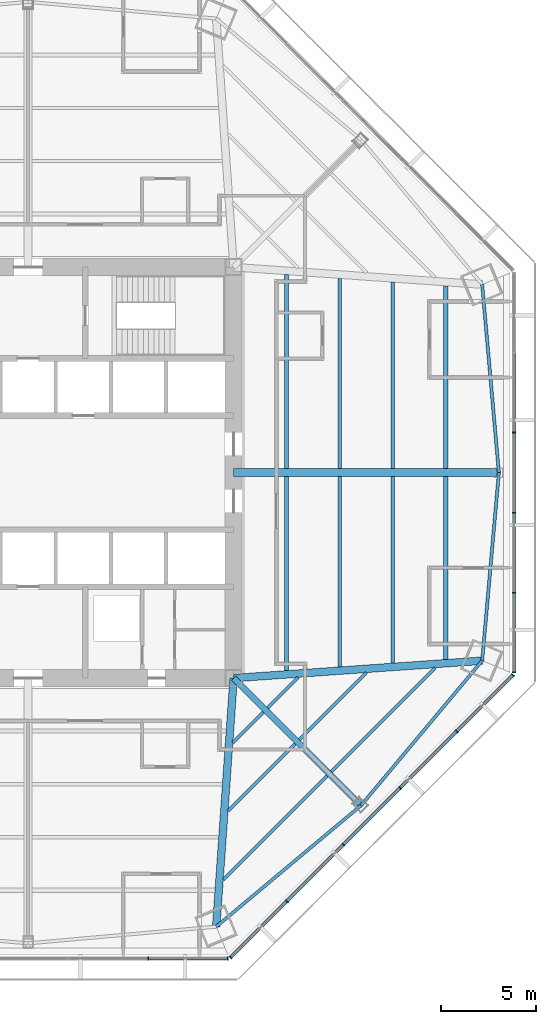
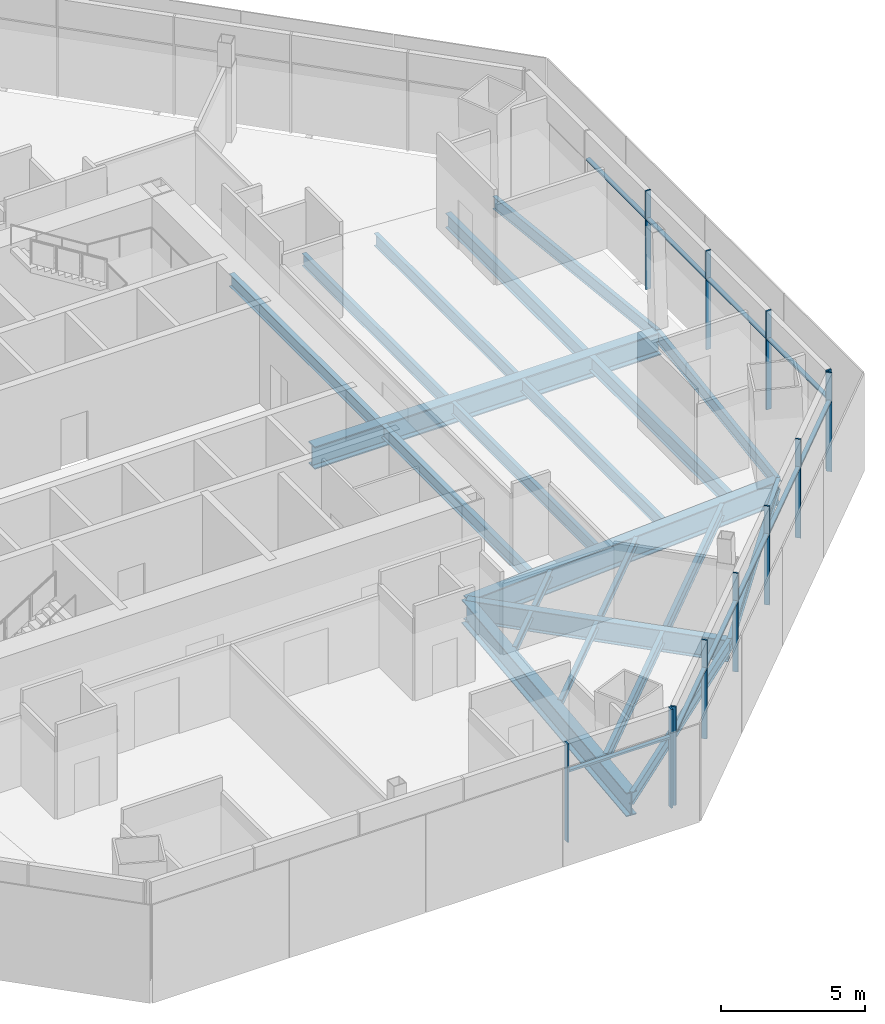
# One storey, part 4 of 17: 22 beams, 22 members, 3 elements without a shape of their own.
"""IFC4 building model written with IfcOpenShell, lengths in metres."""

from ifc_helpers import new_model, si_unit, direction, frame, origin, origin_2d, place, context, subcontext, project, spatial, rectangle, i_section, extrude, source, transform, mapped, material, material_profile, profile_set, type_object, type_shapes, element, aggregate, save


model = new_model("IFC4")

# Units and contexts
model_context = context("Model", 3, precision=1e-05, world=origin(), true_north=direction((0.0, 1.0)))
body_context = subcontext(model_context, "Body", "Model", "MODEL_VIEW")
ifc_project = project(units=[si_unit("LENGTHUNIT", "METRE"), si_unit("AREAUNIT", "SQUARE_METRE"), si_unit("VOLUMEUNIT", "CUBIC_METRE"), si_unit("PLANEANGLEUNIT", "RADIAN"), si_unit("MASSUNIT", "GRAM", prefix="KILO")], contexts=[model_context])

# Site, building, storey
site_placement = place(None, origin())
site = spatial("IfcSite", under=ifc_project, at=site_placement, CompositionType="ELEMENT")
building_placement = place(site_placement, origin())
building = spatial("IfcBuilding", under=site, at=building_placement, Name="Mashrafa Tower", CompositionType="ELEMENT")
storey_placement = place(building_placement, frame((0.0, 0.0, 87.60009765625)))
storey = spatial("IfcBuildingStorey", under=building, at=storey_placement, Name="L19", CompositionType="ELEMENT", Elevation=87.60009765625)

# Beams
ifc_material_1 = material(Name="Steel ASTM A992", Category="steel")
ifc_material_profile_1 = material_profile(ifc_material_1, i_section(OverallWidth=0.164794921875, OverallDepth=0.309814453125, WebThickness=0.005859375, FlangeThickness=0.009765625, FilletRadius=0.007568359375, at=origin_2d()), Name="W12X26")
ifc_profile_set_1 = profile_set([ifc_material_profile_1], Name="Steel ASTM A992")
beam_type_1 = type_object("IfcBeamType", Name="Beam W12X26", PredefinedType="BEAM", material=ifc_profile_set_1)
beam_1_placement = place(storey_placement, frame((12.365966796875, -12.58154296875, -0.320068359375), z_axis=(-0.707160662147, -0.707052896121, 0.0), x_axis=(0.707052896121, -0.707160662147, 0.0)))
element("IfcBeam", 1, at=beam_1_placement, inside=storey, type_object=beam_type_1, Name="Floor beam L19 040", PredefinedType="BEAM", context=body_context, shape_type="SweptSolid", body=[
    extrude(i_section(OverallWidth=0.164794921875, OverallDepth=0.309814453125, WebThickness=0.005859375, FlangeThickness=0.009765625, FilletRadius=0.007568359375, at=origin_2d()), origin(), (0.0, 0.0, 1.0), 2.265380859375),
])
beam_2_placement = place(storey_placement, frame((14.03955078125, -14.255126953125, -0.320068359375), z_axis=(-0.707106781187, -0.707106781187, 0.0), x_axis=(0.707106781187, -0.707106781187, 0.0)))
element("IfcBeam", 2, at=beam_2_placement, inside=storey, type_object=beam_type_1, Name="Floor beam L19 044", PredefinedType="BEAM", context=body_context, shape_type="SweptSolid", body=[
    extrude(i_section(OverallWidth=0.164794921875, OverallDepth=0.309814453125, WebThickness=0.005859375, FlangeThickness=0.009765625, FilletRadius=0.007568359375, at=origin_2d()), origin(), (0.0, 0.0, 1.0), 4.989013671875),
])
beam_3_placement = place(storey_placement, frame((14.183349609375, -10.763916015625, -0.320068359375), z_axis=(-0.707052896121, -0.707160662147, 0.0), x_axis=(0.707160662147, -0.707052896121, 0.0)))
element("IfcBeam", 3, at=beam_3_placement, inside=storey, type_object=beam_type_1, Name="Floor beam L19 046", PredefinedType="BEAM", context=body_context, shape_type="SweptSolid", body=[
    extrude(i_section(OverallWidth=0.164794921875, OverallDepth=0.309814453125, WebThickness=0.005859375, FlangeThickness=0.009765625, FilletRadius=0.007568359375, at=origin_2d()), origin(), (0.0, 0.0, 1.0), 2.265380859375),
])
beam_4_placement = place(storey_placement, frame((17.782958984375, -10.51171875, -0.320068359375), z_axis=(-0.707106781187, -0.707106781187, 0.0), x_axis=(0.707106781187, -0.707106781187, 0.0)))
element("IfcBeam", 4, at=beam_4_placement, inside=storey, type_object=beam_type_1, Name="Floor beam L19 051", PredefinedType="BEAM", context=body_context, shape_type="SweptSolid", body=[
    extrude(i_section(OverallWidth=0.164794921875, OverallDepth=0.309814453125, WebThickness=0.005859375, FlangeThickness=0.009765625, FilletRadius=0.007568359375, at=origin_2d()), origin(), (0.0, 0.0, 1.0), 4.989013671875),
])
ifc_material_2 = material(Name="Steel ASTM A992", Category="steel")
ifc_material_profile_2 = material_profile(ifc_material_2, i_section(OverallWidth=0.165771484375, OverallDepth=0.5283203125, WebThickness=0.009765625, FlangeThickness=0.013671875, FilletRadius=0.012939453125, at=origin_2d()), Name="W21X50")
ifc_profile_set_2 = profile_set([ifc_material_profile_2], Name="Steel ASTM A992")
beam_type_2 = type_object("IfcBeamType", Name="Beam W21X50", PredefinedType="BEAM", material=ifc_profile_set_2)
beam_5_placement = place(storey_placement, frame((15.713134765625, -15.9287109375, -0.42919921875), z_axis=(-0.707075127012, -0.707138433944, 0.0), x_axis=(0.707138433944, -0.707075127012, 0.0)))
element("IfcBeam", 5, at=beam_5_placement, inside=storey, type_object=beam_type_2, Name="Floor beam L19 047", PredefinedType="BEAM", context=body_context, shape_type="SweptSolid", body=[
    extrude(i_section(OverallWidth=0.165771484375, OverallDepth=0.5283203125, WebThickness=0.009765625, FlangeThickness=0.013671875, FilletRadius=0.012939453125, at=origin_2d()), origin(), (0.0, 0.0, 1.0), 7.712890625),
])
for number, where, z_axis, x_axis, name in (
    (6, (16.37646484375, -0.212158203125, -0.42919921875), (0.0, -1.0, 0.0), (1.0, 0.0, 0.0), "Floor beam L19 049"),
    (7, (16.37646484375, 10.2080078125, -0.42919921875), (0.0, -1.0, 0.0), (1.0, 0.0, 0.0), "Floor beam L19 050"),
):
    element("IfcBeam", number, at=place(storey_placement, frame(where, z_axis=z_axis, x_axis=x_axis)), inside=storey, type_object=beam_type_2, Name=name, PredefinedType="BEAM", context=body_context, shape_type="SweptSolid", body=[
        extrude(i_section(OverallWidth=0.165771484375, OverallDepth=0.5283203125, WebThickness=0.009765625, FlangeThickness=0.013671875, FilletRadius=0.012939453125, at=origin_2d()), origin(), (0.0, 0.0, 1.0), 9.995849609375),
    ])
for number, where, z_axis, x_axis, name in (
    (8, (19.164794921875, -0.212158203125, -0.42919921875), (0.0, -1.0, 0.0), (1.0, 0.0, 0.0), "Floor beam L19 052"),
    (9, (19.164794921875, 10.012451171875, -0.42919921875), (0.0, -1.0, 0.0), (1.0, 0.0, 0.0), "Floor beam L19 053"),
):
    element("IfcBeam", number, at=place(storey_placement, frame(where, z_axis=z_axis, x_axis=x_axis)), inside=storey, type_object=beam_type_2, Name=name, PredefinedType="BEAM", context=body_context, shape_type="SweptSolid", body=[
        extrude(i_section(OverallWidth=0.165771484375, OverallDepth=0.5283203125, WebThickness=0.009765625, FlangeThickness=0.013671875, FilletRadius=0.012939453125, at=origin_2d()), origin(), (0.0, 0.0, 1.0), 9.80029296875),
    ])
beam_6_placement = place(storey_placement, frame((21.3828125, -10.259521484375, -0.42919921875), z_axis=(-0.707138433944, -0.707075127012, 0.0), x_axis=(0.707075127012, -0.707138433944, 0.0)))
element("IfcBeam", 10, at=beam_6_placement, inside=storey, type_object=beam_type_2, Name="Floor beam L19 054", PredefinedType="BEAM", context=body_context, shape_type="SweptSolid", body=[
    extrude(i_section(OverallWidth=0.165771484375, OverallDepth=0.5283203125, WebThickness=0.009765625, FlangeThickness=0.013671875, FilletRadius=0.012939453125, at=origin_2d()), origin(), (0.0, 0.0, 1.0), 7.712890625),
])
for number, where, z_axis, x_axis, name in (
    (11, (9.884521484375, -23.863037109375, -0.42919921875), (0.766898747928, 0.641768112659, 0.0), (-0.641768112659, 0.766898747928, 0.0), "Spandrel beam L19 082"),
    (12, (17.49462890625, -17.49462890625, -0.42919921875), (0.641768112659, 0.766898747928, 0.0), (-0.766898747928, 0.641768112659, 0.0), "Spandrel beam L19 084"),
    (13, (23.863037109375, -9.884521484375, -0.42919921875), (0.088494768196, 0.996076641631, 0.0), (-0.996076641631, 0.088494768196, 0.0), "Spandrel beam L19 086"),
    (14, (24.7412109375, 0.0, -0.42919921875), (-0.088494768196, 0.996076641631, 0.0), (-0.996076641631, -0.088494768196, 0.0), "Spandrel beam L19 088"),
):
    element("IfcBeam", number, at=place(storey_placement, frame(where, z_axis=z_axis, x_axis=x_axis)), inside=storey, type_object=beam_type_2, Name=name, PredefinedType="BEAM", context=body_context, shape_type="SweptSolid", body=[
        extrude(i_section(OverallWidth=0.165771484375, OverallDepth=0.5283203125, WebThickness=0.009765625, FlangeThickness=0.013671875, FilletRadius=0.012939453125, at=origin_2d()), origin(), (0.0, 0.0, 1.0), 9.92333984375),
    ])
ifc_material_3 = material(Name="Steel ASTM A992", Category="steel")
ifc_material_profile_3 = material_profile(ifc_material_3, i_section(OverallWidth=0.209228515625, OverallDepth=0.533447265625, WebThickness=0.01025390625, FlangeThickness=0.015625, FilletRadius=0.012939453125, at=origin_2d()), Name="W21X62")
ifc_profile_set_3 = profile_set([ifc_material_profile_3], Name="Steel ASTM A992")
beam_type_3 = type_object("IfcBeamType", Name="Beam W21X62", PredefinedType="BEAM", material=ifc_profile_set_3)
for number, where, z_axis, x_axis, name in (
    (15, (13.58837890625, -0.212158203125, -0.431884765625), (0.0, -1.0, 0.0), (1.0, 0.0, 0.0), "Floor beam L19 042"),
    (16, (13.58837890625, 10.4033203125, -0.431884765625), (0.0, -1.0, 0.0), (1.0, 0.0, 0.0), "Floor beam L19 043"),
):
    element("IfcBeam", number, at=place(storey_placement, frame(where, z_axis=z_axis, x_axis=x_axis)), inside=storey, type_object=beam_type_3, Name=name, PredefinedType="BEAM", context=body_context, shape_type="SweptSolid", body=[
        extrude(i_section(OverallWidth=0.209228515625, OverallDepth=0.533447265625, WebThickness=0.01025390625, FlangeThickness=0.015625, FilletRadius=0.012939453125, at=origin_2d()), origin(), (0.0, 0.0, 1.0), 10.191162109375),
    ])
ifc_material_4 = material(Name="Steel ASTM A992", Category="steel")
ifc_material_profile_4 = material_profile(ifc_material_4, i_section(OverallWidth=0.227783203125, OverallDepth=0.60205078125, WebThickness=0.010498046875, FlangeThickness=0.014892578125, FilletRadius=0.012939453125, at=origin_2d()), Name="W24X68")
ifc_profile_set_4 = profile_set([ifc_material_profile_4], Name="Steel ASTM A992")
beam_type_4 = type_object("IfcBeamType", Name="Beam W24X68", PredefinedType="BEAM", material=ifc_profile_set_4)
for number, where, z_axis, x_axis, name in (
    (17, (21.952880859375, -0.212158203125, -0.466064453125), (0.0, -1.0, 0.0), (1.0, 0.0, 0.0), "Floor beam L19 055"),
    (18, (21.952880859375, 9.817138671875, -0.466064453125), (0.0, -1.0, 0.0), (1.0, 0.0, 0.0), "Floor beam L19 056"),
):
    element("IfcBeam", number, at=place(storey_placement, frame(where, z_axis=z_axis, x_axis=x_axis)), inside=storey, type_object=beam_type_4, Name=name, PredefinedType="BEAM", context=body_context, shape_type="SweptSolid", body=[
        extrude(i_section(OverallWidth=0.227783203125, OverallDepth=0.60205078125, WebThickness=0.010498046875, FlangeThickness=0.014892578125, FilletRadius=0.012939453125, at=origin_2d()), origin(), (0.0, 0.0, 1.0), 9.60498046875),
    ])
ifc_material_5 = material(Name="Steel ASTM A992", Category="steel")
ifc_material_profile_5 = material_profile(ifc_material_5, i_section(OverallWidth=0.3046875, OverallDepth=0.911865234375, WebThickness=0.015869140625, FlangeThickness=0.02392578125, FilletRadius=0.01904296875, at=origin_2d()), Name="W36X150")
ifc_profile_set_5 = profile_set([ifc_material_profile_5], Name="Steel ASTM A992")
beam_type_5 = type_object("IfcBeamType", Name="Beam W36X150", PredefinedType="BEAM", material=ifc_profile_set_5)
beam_7_placement = place(storey_placement, frame((10.800048828125, -10.800048828125, -0.62109375), z_axis=(0.707106781187, -0.707106781187, 0.0), x_axis=(0.707106781187, 0.707106781187, 0.0)))
element("IfcBeam", 19, at=beam_7_placement, inside=storey, type_object=beam_type_5, Name="Radial girder L19 067", PredefinedType="BEAM", context=body_context, shape_type="SweptSolid", body=[
    extrude(i_section(OverallWidth=0.3046875, OverallDepth=0.911865234375, WebThickness=0.015869140625, FlangeThickness=0.02392578125, FilletRadius=0.01904296875, at=origin_2d()), origin(), (0.0, 0.0, 1.0), 9.467529296875),
])
ifc_material_6 = material(Name="Steel ASTM A992", Category="steel")
ifc_material_profile_6 = material_profile(ifc_material_6, i_section(OverallWidth=0.424072265625, OverallDepth=0.960205078125, WebThickness=0.028564453125, FlangeThickness=0.051025390625, FilletRadius=0.02001953125, at=origin_2d()), Name="W36X361")
ifc_profile_set_6 = profile_set([ifc_material_profile_6], Name="Steel ASTM A992")
beam_type_6 = type_object("IfcBeamType", Name="Beam W36X361", PredefinedType="BEAM", material=ifc_profile_set_6)
beam_8_placement = place(storey_placement, frame((10.800048828125, 0.0, -0.645263671875), z_axis=(1.0, 0.0, 0.0), x_axis=(0.0, 1.0, 0.0)))
element("IfcBeam", 20, at=beam_8_placement, inside=storey, type_object=beam_type_6, Name="Radial girder L19 069", PredefinedType="BEAM", context=body_context, shape_type="SweptSolid", body=[
    extrude(i_section(OverallWidth=0.424072265625, OverallDepth=0.960205078125, WebThickness=0.028564453125, FlangeThickness=0.051025390625, FilletRadius=0.02001953125, at=origin_2d()), origin(), (0.0, 0.0, 1.0), 13.941162109375),
])
ifc_material_7 = material(Name="Steel ASTM A992", Category="steel")
ifc_material_profile_7 = material_profile(ifc_material_7, i_section(OverallWidth=0.4013671875, OverallDepth=1.010986328125, WebThickness=0.023681640625, FlangeThickness=0.0419921875, FilletRadius=0.02001953125, at=origin_2d()), Name="W40X297")
ifc_profile_set_7 = profile_set([ifc_material_profile_7], Name="Steel ASTM A992")
beam_type_7 = type_object("IfcBeamType", Name="Beam W40X297", PredefinedType="BEAM", material=ifc_profile_set_7)
for number, where, z_axis, x_axis, name in (
    (21, (10.800048828125, -10.800048828125, -0.670654296875), (-0.069914099504, -0.997553015479, 0.0), (0.997553015479, -0.069914099504, 0.0), "Radial girder L19 066"),
    (22, (10.800048828125, -10.800048828125, -0.670654296875), (0.997553015479, 0.069914099504, 0.0), (-0.069914099504, 0.997553015479, 0.0), "Radial girder L19 068"),
):
    element("IfcBeam", number, at=place(storey_placement, frame(where, z_axis=z_axis, x_axis=x_axis)), inside=storey, type_object=beam_type_7, Name=name, PredefinedType="BEAM", context=body_context, shape_type="SweptSolid", body=[
        extrude(i_section(OverallWidth=0.4013671875, OverallDepth=1.010986328125, WebThickness=0.023681640625, FlangeThickness=0.0419921875, FilletRadius=0.02001953125, at=origin_2d()), origin(), (0.0, 0.0, 1.0), 13.094970703125),
    ])

# Curtain wall, members
ifc_material_8 = material(Name="Unitised aluminium curtain wall", Category="aluminium")
curtain_wall_type = type_object("IfcCurtainWallType", Name="Office curtain wall, zone 1 CW-A 200 deep", PredefinedType="NOTDEFINED", material=ifc_material_8)
curtain_wall_1_placement = place(storey_placement, origin())
curtain_wall_1 = element("IfcCurtainWall", 23, at=curtain_wall_1_placement, inside=storey, type_object=curtain_wall_type, Name="Office curtain wall, zone 1 L19 east", PredefinedType="NOTDEFINED")
ifc_material_9 = material(Name="Extruded aluminium mullion", Category="aluminium")
ifc_material_profile_8 = material_profile(ifc_material_9, rectangle(XDim=0.199951171875, YDim=0.06494140625, at=origin_2d()), Name="Mullion 65x200")
ifc_profile_set_8 = profile_set([ifc_material_profile_8], Name="Extruded aluminium mullion")
member_type_1 = type_object("IfcMemberType", Name="Mullion CW-A 65 x 200", PredefinedType="MULLION", material=ifc_profile_set_8)
shared_shape_1 = source(origin(), body_context, "Body", "SweptSolid", [
    extrude(rectangle(XDim=0.199951171875, YDim=0.06494140625, at=origin_2d()), origin(), (0.0, 0.0, 1.0), 4.199951171875),
])
type_shapes(member_type_1, [shared_shape_1])
member_1_placement = place(storey_placement, frame((25.53662109375, -10.49365234375, 0.0), z_axis=(0.0, 0.0, 1.0), x_axis=(-1.0, 0.0, 0.0)))
member_1 = element("IfcMember", 24, at=member_1_placement, type_object=member_type_1, Name="CW-A mullion 1", PredefinedType="MULLION", context=body_context, shape_type="MappedRepresentation", body=[
    mapped(shared_shape_1, transform((0.0, 0.0, 0.0))),
])
member_2_placement = place(storey_placement, frame((25.53662109375, -6.315673828125, 0.0), z_axis=(0.0, 0.0, 1.0), x_axis=(-1.0, 0.0, 0.0)))
member_2 = element("IfcMember", 25, at=member_2_placement, type_object=member_type_1, Name="CW-A mullion 2", PredefinedType="MULLION", context=body_context, shape_type="MappedRepresentation", body=[
    mapped(shared_shape_1, transform((0.0, 0.0, 0.0))),
])
member_3_placement = place(storey_placement, frame((25.53662109375, -2.105224609375, 0.0), z_axis=(0.0, 0.0, 1.0), x_axis=(-1.0, 0.0, 0.0)))
member_3 = element("IfcMember", 26, at=member_3_placement, type_object=member_type_1, Name="CW-A mullion 3", PredefinedType="MULLION", context=body_context, shape_type="MappedRepresentation", body=[
    mapped(shared_shape_1, transform((0.0, 0.0, 0.0))),
])
member_4_placement = place(storey_placement, frame((25.53662109375, 2.105224609375, 0.0), z_axis=(0.0, 0.0, 1.0), x_axis=(-1.0, 0.0, 0.0)))
member_4 = element("IfcMember", 27, at=member_4_placement, type_object=member_type_1, Name="CW-A mullion 4", PredefinedType="MULLION", context=body_context, shape_type="MappedRepresentation", body=[
    mapped(shared_shape_1, transform((0.0, 0.0, 0.0))),
])

curtain_wall_2_placement = place(storey_placement, origin())
curtain_wall_2 = element("IfcCurtainWall", 28, at=curtain_wall_2_placement, inside=storey, type_object=curtain_wall_type, Name="Office curtain wall, zone 1 L19 south", PredefinedType="NOTDEFINED")
member_5_placement = place(storey_placement, frame((6.315673828125, -25.53662109375, 0.0), z_axis=(0.0, 0.0, 1.0), x_axis=(0.0, 1.0, 0.0)))
member_5 = element("IfcMember", 29, at=member_5_placement, type_object=member_type_1, Name="CW-A mullion 5", PredefinedType="MULLION", context=body_context, shape_type="MappedRepresentation", body=[
    mapped(shared_shape_1, transform((0.0, 0.0, 0.0))),
])
member_6_placement = place(storey_placement, frame((10.49365234375, -25.53662109375, 0.0), z_axis=(0.0, 0.0, 1.0), x_axis=(0.0, 1.0, 0.0)))
member_6 = element("IfcMember", 30, at=member_6_placement, type_object=member_type_1, Name="CW-A mullion 6", PredefinedType="MULLION", context=body_context, shape_type="MappedRepresentation", body=[
    mapped(shared_shape_1, transform((0.0, 0.0, 0.0))),
])

curtain_wall_3_placement = place(storey_placement, origin())
curtain_wall_3 = element("IfcCurtainWall", 31, at=curtain_wall_3_placement, inside=storey, type_object=curtain_wall_type, Name="Office curtain wall, zone 1 L19 south-east", PredefinedType="NOTDEFINED")
member_7_placement = place(storey_placement, frame((10.636962890625, -25.477294921875, 0.0), z_axis=(0.0, 0.0, 1.0), x_axis=(-0.707106781187, 0.707106781187, 0.0)))
member_7 = element("IfcMember", 32, at=member_7_placement, type_object=member_type_1, Name="CW-A mullion 1", PredefinedType="MULLION", context=body_context, shape_type="MappedRepresentation", body=[
    mapped(shared_shape_1, transform((0.0, 0.0, 0.0))),
])
member_8_placement = place(storey_placement, frame((13.59130859375, -22.52294921875, 0.0), z_axis=(0.0, 0.0, 1.0), x_axis=(-0.707106781187, 0.707106781187, 0.0)))
member_8 = element("IfcMember", 33, at=member_8_placement, type_object=member_type_1, Name="CW-A mullion 2", PredefinedType="MULLION", context=body_context, shape_type="MappedRepresentation", body=[
    mapped(shared_shape_1, transform((0.0, 0.0, 0.0))),
])
member_9_placement = place(storey_placement, frame((16.568603515625, -19.545654296875, 0.0), z_axis=(0.0, 0.0, 1.0), x_axis=(-0.707106781187, 0.707106781187, 0.0)))
member_9 = element("IfcMember", 34, at=member_9_placement, type_object=member_type_1, Name="CW-A mullion 3", PredefinedType="MULLION", context=body_context, shape_type="MappedRepresentation", body=[
    mapped(shared_shape_1, transform((0.0, 0.0, 0.0))),
])
member_10_placement = place(storey_placement, frame((19.545654296875, -16.568603515625, 0.0), z_axis=(0.0, 0.0, 1.0), x_axis=(-0.707106781187, 0.707106781187, 0.0)))
member_10 = element("IfcMember", 35, at=member_10_placement, type_object=member_type_1, Name="CW-A mullion 4", PredefinedType="MULLION", context=body_context, shape_type="MappedRepresentation", body=[
    mapped(shared_shape_1, transform((0.0, 0.0, 0.0))),
])
member_11_placement = place(storey_placement, frame((22.52294921875, -13.59130859375, 0.0), z_axis=(0.0, 0.0, 1.0), x_axis=(-0.707106781187, 0.707106781187, 0.0)))
member_11 = element("IfcMember", 36, at=member_11_placement, type_object=member_type_1, Name="CW-A mullion 5", PredefinedType="MULLION", context=body_context, shape_type="MappedRepresentation", body=[
    mapped(shared_shape_1, transform((0.0, 0.0, 0.0))),
])
member_12_placement = place(storey_placement, frame((25.477294921875, -10.636962890625, 0.0), z_axis=(0.0, 0.0, 1.0), x_axis=(-0.707106781187, 0.707106781187, 0.0)))
member_12 = element("IfcMember", 37, at=member_12_placement, type_object=member_type_1, Name="CW-A mullion 6", PredefinedType="MULLION", context=body_context, shape_type="MappedRepresentation", body=[
    mapped(shared_shape_1, transform((0.0, 0.0, 0.0))),
])

# Member
ifc_material_10 = material(Name="Extruded aluminium transom", Category="aluminium")
ifc_material_profile_9 = material_profile(ifc_material_10, rectangle(XDim=0.159912109375, YDim=0.080078125, at=origin_2d()), Name="Transom 80x160")
ifc_profile_set_9 = profile_set([ifc_material_profile_9], Name="Extruded aluminium transom")
member_type_2 = type_object("IfcMemberType", Name="Transom CW-A 80 x 160", PredefinedType="MULLION", material=ifc_profile_set_9)
shared_shape_2 = source(origin(), body_context, "Body", "SweptSolid", [
    extrude(rectangle(XDim=0.159912109375, YDim=0.080078125, at=origin_2d()), origin(), (0.0, 0.0, 1.0), 4.113037109375),
])
member_13_placement = place(storey_placement, frame((25.53662109375, -10.461181640625, 3.0), z_axis=(0.0, 1.0, 0.0), x_axis=(-1.0, 0.0, 0.0)))
member_13 = element("IfcMember", 38, at=member_13_placement, type_object=member_type_2, Name="CW-A transom 1", PredefinedType="MULLION", context=body_context, shape_type="MappedRepresentation", body=[
    mapped(shared_shape_2, transform((0.0, 0.0, 0.0))),
])

member_14_placement = place(storey_placement, frame((6.34814453125, -25.53662109375, 3.0), z_axis=(1.0, 0.0, 0.0), x_axis=(0.0, 1.0, 0.0)))
member_14 = element("IfcMember", 39, at=member_14_placement, type_object=member_type_2, Name="CW-A transom 5", PredefinedType="MULLION", context=body_context, shape_type="MappedRepresentation", body=[
    mapped(shared_shape_2, transform((0.0, 0.0, 0.0))),
])

aggregate(curtain_wall_2, [member_5, member_6, member_14])

shared_shape_3 = source(origin(), body_context, "Body", "SweptSolid", [
    extrude(rectangle(XDim=0.159912109375, YDim=0.080078125, at=origin_2d()), origin(), (0.0, 0.0, 1.0), 4.1455078125),
])
member_15_placement = place(storey_placement, frame((25.53662109375, -6.283203125, 3.0), z_axis=(0.0, 1.0, 0.0), x_axis=(-1.0, 0.0, 0.0)))
member_15 = element("IfcMember", 40, at=member_15_placement, type_object=member_type_2, Name="CW-A transom 2", PredefinedType="MULLION", context=body_context, shape_type="MappedRepresentation", body=[
    mapped(shared_shape_3, transform((0.0, 0.0, 0.0))),
])

member_16_placement = place(storey_placement, frame((25.53662109375, -2.07275390625, 3.0), z_axis=(0.0, 1.0, 0.0), x_axis=(-1.0, 0.0, 0.0)))
member_16 = element("IfcMember", 41, at=member_16_placement, type_object=member_type_2, Name="CW-A transom 3", PredefinedType="MULLION", context=body_context, shape_type="MappedRepresentation", body=[
    mapped(shared_shape_3, transform((0.0, 0.0, 0.0))),
])

member_17_placement = place(storey_placement, frame((25.53662109375, 2.1376953125, 3.0), z_axis=(0.0, 1.0, 0.0), x_axis=(-1.0, 0.0, 0.0)))
member_17 = element("IfcMember", 42, at=member_17_placement, type_object=member_type_2, Name="CW-A transom 4", PredefinedType="MULLION", context=body_context, shape_type="MappedRepresentation", body=[
    mapped(shared_shape_3, transform((0.0, 0.0, 0.0))),
])

aggregate(curtain_wall_1, [member_1, member_2, member_3, member_4, member_13, member_15, member_16, member_17])

shared_shape_4 = source(origin(), body_context, "Body", "SweptSolid", [
    extrude(rectangle(XDim=0.159912109375, YDim=0.080078125, at=origin_2d()), origin(), (0.0, 0.0, 1.0), 4.11328125),
])
member_18_placement = place(storey_placement, frame((10.659912109375, -25.454345703125, 3.0), z_axis=(0.707106781187, 0.707106781187, 0.0), x_axis=(-0.707106781187, 0.707106781187, 0.0)))
member_18 = element("IfcMember", 43, at=member_18_placement, type_object=member_type_2, Name="CW-A transom 1", PredefinedType="MULLION", context=body_context, shape_type="MappedRepresentation", body=[
    mapped(shared_shape_4, transform((0.0, 0.0, 0.0))),
])

member_19_placement = place(storey_placement, frame((22.5458984375, -13.568359375, 3.0), z_axis=(0.707106781187, 0.707106781187, 0.0), x_axis=(-0.707106781187, 0.707106781187, 0.0)))
member_19 = element("IfcMember", 44, at=member_19_placement, type_object=member_type_2, Name="CW-A transom 5", PredefinedType="MULLION", context=body_context, shape_type="MappedRepresentation", body=[
    mapped(shared_shape_4, transform((0.0, 0.0, 0.0))),
])

shared_shape_5 = source(origin(), body_context, "Body", "SweptSolid", [
    extrude(rectangle(XDim=0.159912109375, YDim=0.080078125, at=origin_2d()), origin(), (0.0, 0.0, 1.0), 4.145263671875),
])
type_shapes(member_type_2, [shared_shape_2, shared_shape_3, shared_shape_4, shared_shape_5])
member_20_placement = place(storey_placement, frame((13.6142578125, -22.5, 3.0), z_axis=(0.707106781187, 0.707106781187, 0.0), x_axis=(-0.707106781187, 0.707106781187, 0.0)))
member_20 = element("IfcMember", 45, at=member_20_placement, type_object=member_type_2, Name="CW-A transom 2", PredefinedType="MULLION", context=body_context, shape_type="MappedRepresentation", body=[
    mapped(shared_shape_5, transform((0.0, 0.0, 0.0))),
])

member_21_placement = place(storey_placement, frame((16.591552734375, -19.522705078125, 3.0), z_axis=(0.707106781187, 0.707106781187, 0.0), x_axis=(-0.707106781187, 0.707106781187, 0.0)))
member_21 = element("IfcMember", 46, at=member_21_placement, type_object=member_type_2, Name="CW-A transom 3", PredefinedType="MULLION", context=body_context, shape_type="MappedRepresentation", body=[
    mapped(shared_shape_5, transform((0.0, 0.0, 0.0))),
])

member_22_placement = place(storey_placement, frame((19.56884765625, -16.54541015625, 3.0), z_axis=(0.707106781187, 0.707106781187, 0.0), x_axis=(-0.707106781187, 0.707106781187, 0.0)))
member_22 = element("IfcMember", 47, at=member_22_placement, type_object=member_type_2, Name="CW-A transom 4", PredefinedType="MULLION", context=body_context, shape_type="MappedRepresentation", body=[
    mapped(shared_shape_5, transform((0.0, 0.0, 0.0))),
])

aggregate(curtain_wall_3, [member_7, member_8, member_9, member_10, member_11, member_12, member_18, member_20, member_21, member_22, member_19])

save(model, "model.ifc")
